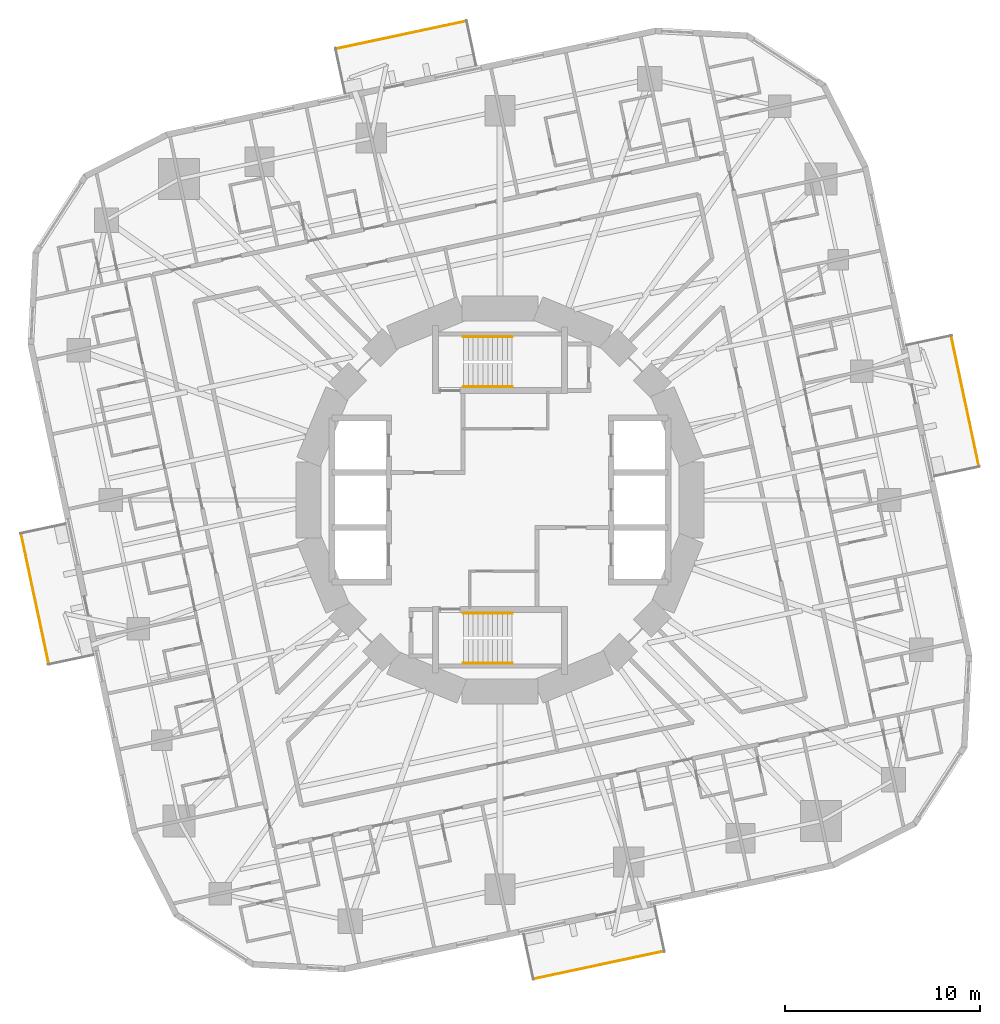
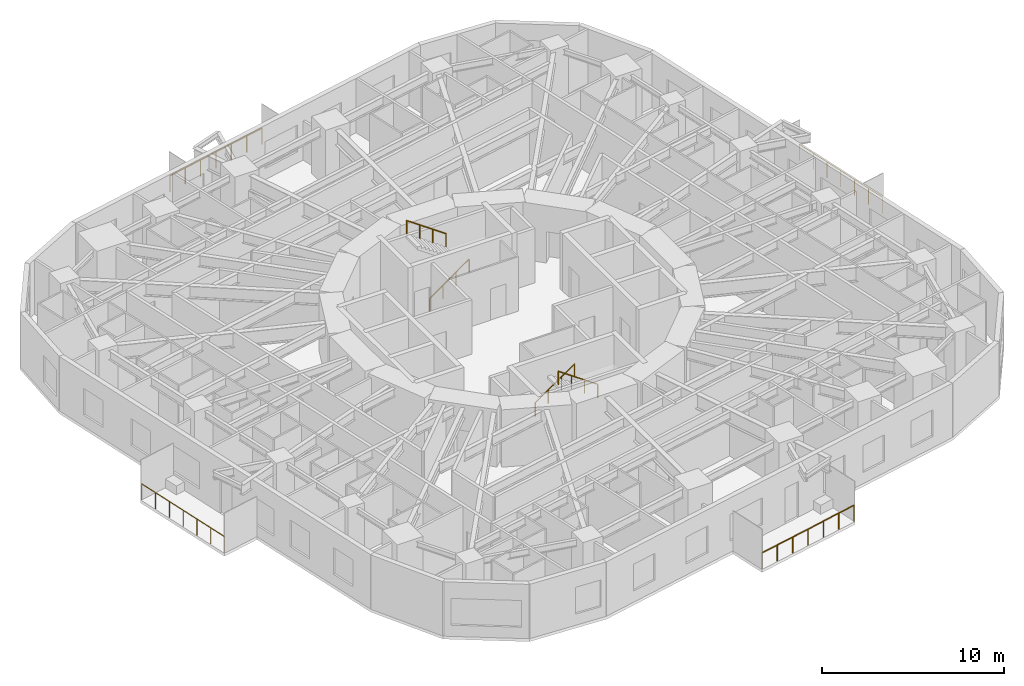
# One storey, part 13 of 14: 8 railings.
"""IFC4 building model written with IfcOpenShell, lengths in metres."""

from ifc_helpers import new_model, si_unit, direction, frame, origin, origin_2d, place, context, subcontext, project, spatial, circle, extrude, material, type_object, element, save


model = new_model("IFC4")

# Units and contexts
model_context = context("Model", 3, precision=1e-05, world=origin(), true_north=direction((0.0, 1.0)))
body_context = subcontext(model_context, "Body", "Model", "MODEL_VIEW")
ifc_project = project(units=[si_unit("LENGTHUNIT", "METRE"), si_unit("AREAUNIT", "SQUARE_METRE"), si_unit("VOLUMEUNIT", "CUBIC_METRE"), si_unit("PLANEANGLEUNIT", "RADIAN"), si_unit("MASSUNIT", "GRAM", prefix="KILO")], contexts=[model_context])

# Site, building, storey
site_placement = place(None, origin())
site = spatial("IfcSite", under=ifc_project, at=site_placement, CompositionType="ELEMENT")
building_placement = place(site_placement, origin())
building = spatial("IfcBuilding", under=site, at=building_placement, Name="Nakasero Lantern House", CompositionType="ELEMENT")
storey_placement = place(building_placement, frame((0.0, 0.0, 128.10009765625)))
storey = spatial("IfcBuildingStorey", under=building, at=storey_placement, Name="L31", CompositionType="ELEMENT", Elevation=128.10009765625)

# Railings
ifc_material_1 = material(Name="Aluminium 6063-T6", Category="aluminium")
railing_type_1 = type_object("IfcRailingType", Name="Balcony guard 1100", PredefinedType="BALUSTRADE", material=ifc_material_1)
railing_1_placement = place(storey_placement, frame((24.52685546875, 1.72705078125, 0.0)))
element("IfcRailing", 1, at=railing_1_placement, inside=storey, type_object=railing_type_1, Name="Balcony guard L31 BAL0", PredefinedType="BALUSTRADE", context=body_context, shape_type="SweptSolid", body=[
    extrude(circle(Radius=0.02392578125, at=origin_2d()), frame((0.0, 0.0, 1.076171875), z_axis=(-0.207907990246, 0.978148387307, 0.0), x_axis=(-0.978148387307, -0.207907990246, 0.0)), (0.0, 0.0, 1.0), 6.820068359375),
    extrude(circle(Radius=0.02099609375, at=origin_2d()), origin(), (0.0, 0.0, 1.0), 1.052001953125),
    extrude(circle(Radius=0.02099609375, at=origin_2d()), frame((-0.236328125, 1.11181640625, 0.0)), (0.0, 0.0, 1.0), 1.052001953125),
    extrude(circle(Radius=0.02099609375, at=origin_2d()), frame((-0.47265625, 2.2236328125, 0.0)), (0.0, 0.0, 1.0), 1.052001953125),
    extrude(circle(Radius=0.02099609375, at=origin_2d()), frame((-0.708984375, 3.33544921875, 0.0)), (0.0, 0.0, 1.0), 1.052001953125),
    extrude(circle(Radius=0.02099609375, at=origin_2d()), frame((-0.9453125, 4.447509765625, 0.0)), (0.0, 0.0, 1.0), 1.052001953125),
    extrude(circle(Radius=0.02099609375, at=origin_2d()), frame((-1.181640625, 5.559326171875, 0.0)), (0.0, 0.0, 1.0), 1.052001953125),
    extrude(circle(Radius=0.02099609375, at=origin_2d()), frame((-1.41796875, 6.671142578125, 0.0)), (0.0, 0.0, 1.0), 1.052001953125),
])
railing_2_placement = place(storey_placement, frame((-1.72705078125, 24.52685546875, 0.0)))
element("IfcRailing", 2, at=railing_2_placement, inside=storey, type_object=railing_type_1, Name="Balcony guard L31 BAL1", PredefinedType="BALUSTRADE", context=body_context, shape_type="SweptSolid", body=[
    extrude(circle(Radius=0.02392578125, at=origin_2d()), frame((0.0, 0.0, 1.076171875), z_axis=(-0.978148387307, -0.207907990246, 0.0), x_axis=(0.207907990246, -0.978148387307, 0.0)), (0.0, 0.0, 1.0), 6.820068359375),
    extrude(circle(Radius=0.02099609375, at=origin_2d()), origin(), (0.0, 0.0, 1.0), 1.052001953125),
    extrude(circle(Radius=0.02099609375, at=origin_2d()), frame((-1.11181640625, -0.236328125, 0.0)), (0.0, 0.0, 1.0), 1.052001953125),
    extrude(circle(Radius=0.02099609375, at=origin_2d()), frame((-2.2236328125, -0.47265625, 0.0)), (0.0, 0.0, 1.0), 1.052001953125),
    extrude(circle(Radius=0.02099609375, at=origin_2d()), frame((-3.33544921875, -0.708984375, 0.0)), (0.0, 0.0, 1.0), 1.052001953125),
    extrude(circle(Radius=0.02099609375, at=origin_2d()), frame((-4.447509765625, -0.9453125, 0.0)), (0.0, 0.0, 1.0), 1.052001953125),
    extrude(circle(Radius=0.02099609375, at=origin_2d()), frame((-5.559326171875, -1.181640625, 0.0)), (0.0, 0.0, 1.0), 1.052001953125),
    extrude(circle(Radius=0.02099609375, at=origin_2d()), frame((-6.671142578125, -1.41796875, 0.0)), (0.0, 0.0, 1.0), 1.052001953125),
])
railing_3_placement = place(storey_placement, frame((-24.52685546875, -1.72705078125, 0.0)))
element("IfcRailing", 3, at=railing_3_placement, inside=storey, type_object=railing_type_1, Name="Balcony guard L31 BAL2", PredefinedType="BALUSTRADE", context=body_context, shape_type="SweptSolid", body=[
    extrude(circle(Radius=0.02392578125, at=origin_2d()), frame((0.0, 0.0, 1.076171875), z_axis=(0.207907990246, -0.978148387307, 0.0), x_axis=(0.978148387307, 0.207907990246, 0.0)), (0.0, 0.0, 1.0), 6.820068359375),
    extrude(circle(Radius=0.02099609375, at=origin_2d()), origin(), (0.0, 0.0, 1.0), 1.052001953125),
    extrude(circle(Radius=0.02099609375, at=origin_2d()), frame((0.236328125, -1.11181640625, 0.0)), (0.0, 0.0, 1.0), 1.052001953125),
    extrude(circle(Radius=0.02099609375, at=origin_2d()), frame((0.47265625, -2.2236328125, 0.0)), (0.0, 0.0, 1.0), 1.052001953125),
    extrude(circle(Radius=0.02099609375, at=origin_2d()), frame((0.708984375, -3.33544921875, 0.0)), (0.0, 0.0, 1.0), 1.052001953125),
    extrude(circle(Radius=0.02099609375, at=origin_2d()), frame((0.9453125, -4.447509765625, 0.0)), (0.0, 0.0, 1.0), 1.052001953125),
    extrude(circle(Radius=0.02099609375, at=origin_2d()), frame((1.181640625, -5.559326171875, 0.0)), (0.0, 0.0, 1.0), 1.052001953125),
    extrude(circle(Radius=0.02099609375, at=origin_2d()), frame((1.41796875, -6.671142578125, 0.0)), (0.0, 0.0, 1.0), 1.052001953125),
])
railing_4_placement = place(storey_placement, frame((1.72705078125, -24.52685546875, 0.0)))
element("IfcRailing", 4, at=railing_4_placement, inside=storey, type_object=railing_type_1, Name="Balcony guard L31 BAL3", PredefinedType="BALUSTRADE", context=body_context, shape_type="SweptSolid", body=[
    extrude(circle(Radius=0.02392578125, at=origin_2d()), frame((0.0, 0.0, 1.076171875), z_axis=(0.978148387307, 0.207907990246, 0.0), x_axis=(-0.207907990246, 0.978148387307, 0.0)), (0.0, 0.0, 1.0), 6.820068359375),
    extrude(circle(Radius=0.02099609375, at=origin_2d()), origin(), (0.0, 0.0, 1.0), 1.052001953125),
    extrude(circle(Radius=0.02099609375, at=origin_2d()), frame((1.11181640625, 0.236328125, 0.0)), (0.0, 0.0, 1.0), 1.052001953125),
    extrude(circle(Radius=0.02099609375, at=origin_2d()), frame((2.2236328125, 0.47265625, 0.0)), (0.0, 0.0, 1.0), 1.052001953125),
    extrude(circle(Radius=0.02099609375, at=origin_2d()), frame((3.33544921875, 0.708984375, 0.0)), (0.0, 0.0, 1.0), 1.052001953125),
    extrude(circle(Radius=0.02099609375, at=origin_2d()), frame((4.447509765625, 0.9453125, 0.0)), (0.0, 0.0, 1.0), 1.052001953125),
    extrude(circle(Radius=0.02099609375, at=origin_2d()), frame((5.559326171875, 1.181640625, 0.0)), (0.0, 0.0, 1.0), 1.052001953125),
    extrude(circle(Radius=0.02099609375, at=origin_2d()), frame((6.671142578125, 1.41796875, 0.0)), (0.0, 0.0, 1.0), 1.052001953125),
])
ifc_material_2 = material(Name="Stainless steel 316", Category="steel")
railing_type_2 = type_object("IfcRailingType", Name="Stair handrail 900", PredefinedType="HANDRAIL", material=ifc_material_2)
railing_5_placement = place(storey_placement, frame((-1.875, 5.800048828125, 0.1748046875)))
element("IfcRailing", 5, at=railing_5_placement, inside=storey, type_object=railing_type_2, Name="Handrail ST1 L31 flight 1", PredefinedType="HANDRAIL", context=body_context, shape_type="SweptSolid", body=[
    extrude(circle(Radius=0.02392578125, at=origin_2d()), frame((0.0, 0.0, 0.8759765625), z_axis=(0.819231920519, 0.0, 0.573462344363), x_axis=(0.0, 1.0, 0.0)), (0.0, 0.0, 1.0), 3.0517578125),
    extrude(circle(Radius=0.02099609375, at=origin_2d()), origin(), (0.0, 0.0, 1.0), 0.851806640625),
    extrude(circle(Radius=0.02099609375, at=origin_2d()), frame((0.833251953125, 0.0, 0.583251953125)), (0.0, 0.0, 1.0), 0.851806640625),
    extrude(circle(Radius=0.02099609375, at=origin_2d()), frame((1.666748046875, 0.0, 1.166748046875)), (0.0, 0.0, 1.0), 0.851806640625),
    extrude(circle(Radius=0.02099609375, at=origin_2d()), frame((2.5, 0.0, 1.75)), (0.0, 0.0, 1.0), 0.851806640625),
])
railing_6_placement = place(storey_placement, frame((0.625, 8.35009765625, 2.099853515625)))
element("IfcRailing", 6, at=railing_6_placement, inside=storey, type_object=railing_type_2, Name="Handrail ST1 L31 flight 2", PredefinedType="HANDRAIL", context=body_context, shape_type="SweptSolid", body=[
    extrude(circle(Radius=0.02392578125, at=origin_2d()), frame((0.0, 0.0, 0.8759765625), z_axis=(-0.819231920519, 0.0, 0.573462344363), x_axis=(0.0, -1.0, 0.0)), (0.0, 0.0, 1.0), 3.0517578125),
    extrude(circle(Radius=0.02099609375, at=origin_2d()), origin(), (0.0, 0.0, 1.0), 0.851806640625),
    extrude(circle(Radius=0.02099609375, at=origin_2d()), frame((-0.833251953125, 0.0, 0.583251953125)), (0.0, 0.0, 1.0), 0.851806640625),
    extrude(circle(Radius=0.02099609375, at=origin_2d()), frame((-1.666748046875, 0.0, 1.166748046875)), (0.0, 0.0, 1.0), 0.851806640625),
    extrude(circle(Radius=0.02099609375, at=origin_2d()), frame((-2.5, 0.0, 1.75)), (0.0, 0.0, 1.0), 0.851806640625),
])
railing_7_placement = place(storey_placement, frame((-1.875, -5.800048828125, 0.1748046875)))
element("IfcRailing", 7, at=railing_7_placement, inside=storey, type_object=railing_type_2, Name="Handrail ST2 L31 flight 1", PredefinedType="HANDRAIL", context=body_context, shape_type="SweptSolid", body=[
    extrude(circle(Radius=0.02392578125, at=origin_2d()), frame((0.0, 0.0, 0.8759765625), z_axis=(0.819231920519, 0.0, 0.573462344363), x_axis=(0.0, 1.0, 0.0)), (0.0, 0.0, 1.0), 3.0517578125),
    extrude(circle(Radius=0.02099609375, at=origin_2d()), origin(), (0.0, 0.0, 1.0), 0.851806640625),
    extrude(circle(Radius=0.02099609375, at=origin_2d()), frame((0.833251953125, 0.0, 0.583251953125)), (0.0, 0.0, 1.0), 0.851806640625),
    extrude(circle(Radius=0.02099609375, at=origin_2d()), frame((1.666748046875, 0.0, 1.166748046875)), (0.0, 0.0, 1.0), 0.851806640625),
    extrude(circle(Radius=0.02099609375, at=origin_2d()), frame((2.5, 0.0, 1.75)), (0.0, 0.0, 1.0), 0.851806640625),
])
railing_8_placement = place(storey_placement, frame((0.625, -8.35009765625, 2.099853515625)))
element("IfcRailing", 8, at=railing_8_placement, inside=storey, type_object=railing_type_2, Name="Handrail ST2 L31 flight 2", PredefinedType="HANDRAIL", context=body_context, shape_type="SweptSolid", body=[
    extrude(circle(Radius=0.02392578125, at=origin_2d()), frame((0.0, 0.0, 0.8759765625), z_axis=(-0.819231920519, 0.0, 0.573462344363), x_axis=(0.0, -1.0, 0.0)), (0.0, 0.0, 1.0), 3.0517578125),
    extrude(circle(Radius=0.02099609375, at=origin_2d()), origin(), (0.0, 0.0, 1.0), 0.851806640625),
    extrude(circle(Radius=0.02099609375, at=origin_2d()), frame((-0.833251953125, 0.0, 0.583251953125)), (0.0, 0.0, 1.0), 0.851806640625),
    extrude(circle(Radius=0.02099609375, at=origin_2d()), frame((-1.666748046875, 0.0, 1.166748046875)), (0.0, 0.0, 1.0), 0.851806640625),
    extrude(circle(Radius=0.02099609375, at=origin_2d()), frame((-2.5, 0.0, 1.75)), (0.0, 0.0, 1.0), 0.851806640625),
])

save(model, "model.ifc")
